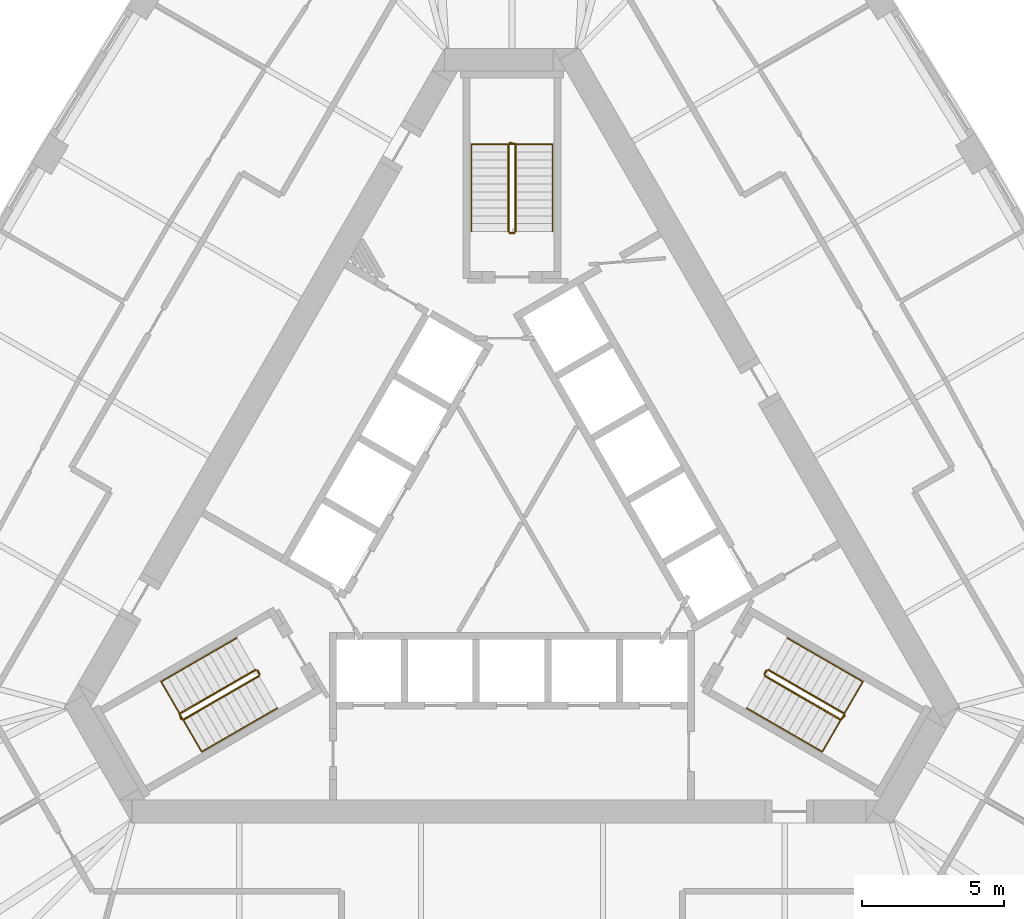
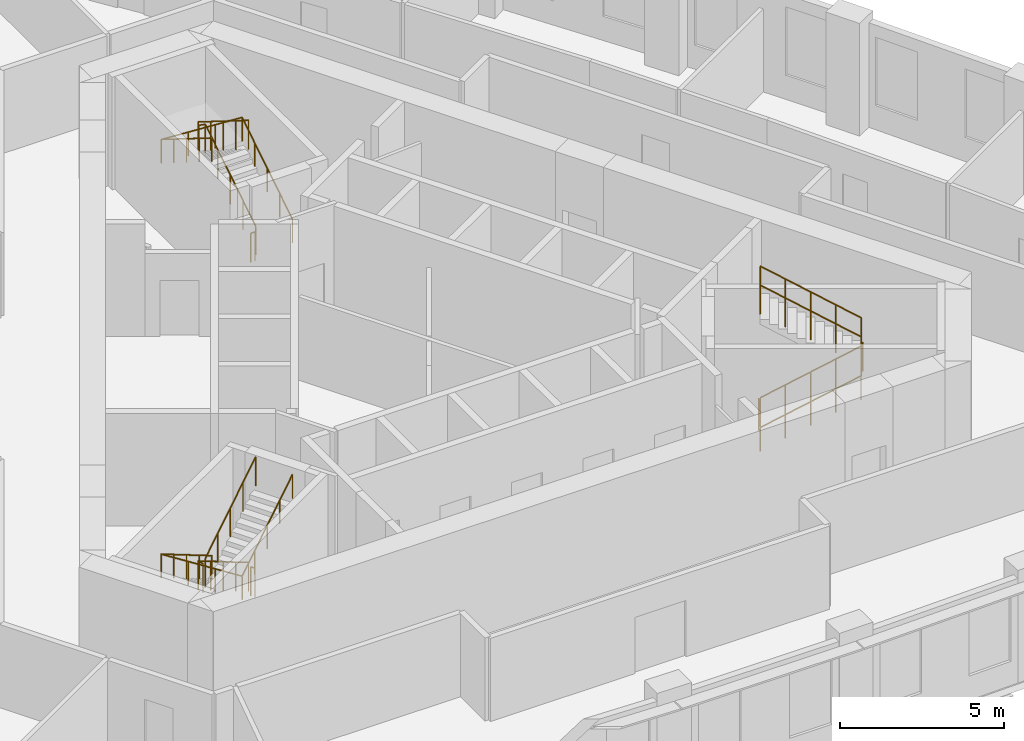
# One storey, part 10 of 10: 12 railings.
"""IFC4 building model written with IfcOpenShell, lengths in metres."""

from ifc_helpers import new_model, si_unit, direction, frame, origin, origin_2d, place, context, subcontext, project, spatial, circle, extrude, material, type_object, element, save


model = new_model("IFC4")

# Units and contexts
model_context = context("Model", 3, precision=1e-05, world=origin(), true_north=direction((0.0, 1.0)))
body_context = subcontext(model_context, "Body", "Model", "MODEL_VIEW")
ifc_project = project(units=[si_unit("LENGTHUNIT", "METRE"), si_unit("AREAUNIT", "SQUARE_METRE"), si_unit("VOLUMEUNIT", "CUBIC_METRE"), si_unit("PLANEANGLEUNIT", "RADIAN"), si_unit("MASSUNIT", "GRAM", prefix="KILO")], contexts=[model_context])

# Site, building, storey
site_placement = place(None, origin())
site = spatial("IfcSite", under=ifc_project, at=site_placement, CompositionType="ELEMENT")
building_placement = place(site_placement, origin())
building = spatial("IfcBuilding", under=site, at=building_placement, Name="Mestral Congress Tower", CompositionType="ELEMENT")
storey_placement = place(building_placement, frame((0.0, 0.0, 192.0)))
storey = spatial("IfcBuildingStorey", under=building, at=storey_placement, Name="L45", CompositionType="ELEMENT", Elevation=192.0)

# Railings
ifc_material_1 = material(Name="Steel balustrade", Category="steel")
railing_type_1 = type_object("IfcRailingType", Name="Stair guard 1100", PredefinedType="GUARDRAIL", material=ifc_material_1)
railing_1_placement = place(storey_placement, frame((8.90087890625, -5.283203125, 0.175048828125)))
element("IfcRailing", 1, at=railing_1_placement, inside=storey, type_object=railing_type_1, Name="L45 ST1 stair guard 1", PredefinedType="GUARDRAIL", context=body_context, shape_type="SweptSolid", body=[
    extrude(circle(Radius=0.02392578125, at=origin_2d()), frame((0.0, 0.0, 1.076171875), z_axis=(0.734364028329, -0.424015404183, 0.530019255228), x_axis=(0.500026652407, 0.866010015463, 0.0)), (0.0, 0.0, 1.0), 3.632080078125),
    extrude(circle(Radius=0.02392578125, at=origin_2d()), frame((2.667236328125, -1.5400390625, 3.0009765625), z_axis=(0.695164929852, 0.718850276695, 0.0), x_axis=(-0.718850276695, 0.695164929852, 0.0)), (0.0, 0.0, 1.0), 0.2060546875),
    extrude(circle(Radius=0.02099609375, at=origin_2d()), origin(), (0.0, 0.0, 1.0), 1.052001953125),
    extrude(circle(Radius=0.02099609375, at=origin_2d()), frame((0.666748046875, -0.385009765625, 0.481201171875)), (0.0, 0.0, 1.0), 1.052001953125),
    extrude(circle(Radius=0.02099609375, at=origin_2d()), frame((1.33349609375, -0.77001953125, 0.96240234375)), (0.0, 0.0, 1.0), 1.052001953125),
    extrude(circle(Radius=0.02099609375, at=origin_2d()), frame((2.00048828125, -1.155029296875, 1.44384765625)), (0.0, 0.0, 1.0), 1.052001953125),
    extrude(circle(Radius=0.02099609375, at=origin_2d()), frame((2.667236328125, -1.5400390625, 1.925048828125)), (0.0, 0.0, 1.0), 1.052001953125),
    extrude(circle(Radius=0.02099609375, at=origin_2d()), frame((2.810546875, -1.391845703125, 1.925048828125)), (0.0, 0.0, 1.0), 1.052001953125),
])
railing_2_placement = place(storey_placement, frame((11.693115234375, -6.606689453125, 2.27490234375)))
element("IfcRailing", 2, at=railing_2_placement, inside=storey, type_object=railing_type_1, Name="L45 ST1 stair guard 2", PredefinedType="GUARDRAIL", context=body_context, shape_type="SweptSolid", body=[
    extrude(circle(Radius=0.02392578125, at=origin_2d()), frame((0.0, 0.0, 1.076171875), z_axis=(-0.734364028329, 0.424015404183, 0.530019255228), x_axis=(-0.500026652407, -0.866010015463, 0.0)), (0.0, 0.0, 1.0), 3.632080078125),
    extrude(circle(Radius=0.02099609375, at=origin_2d()), origin(), (0.0, 0.0, 1.0), 1.052001953125),
    extrude(circle(Radius=0.02099609375, at=origin_2d()), frame((-0.666748046875, 0.385009765625, 0.481201171875)), (0.0, 0.0, 1.0), 1.052001953125),
    extrude(circle(Radius=0.02099609375, at=origin_2d()), frame((-1.33349609375, 0.77001953125, 0.96240234375)), (0.0, 0.0, 1.0), 1.052001953125),
    extrude(circle(Radius=0.02099609375, at=origin_2d()), frame((-2.00048828125, 1.155029296875, 1.44384765625)), (0.0, 0.0, 1.0), 1.052001953125),
    extrude(circle(Radius=0.02099609375, at=origin_2d()), frame((-2.667236328125, 1.5400390625, 1.925048828125)), (0.0, 0.0, 1.0), 1.052001953125),
])
railing_3_placement = place(storey_placement, frame((8.882568359375, -5.21484375, 0.0)))
element("IfcRailing", 3, at=railing_3_placement, inside=storey, type_object=railing_type_1, Name="L45 ST1 stair guard 3", PredefinedType="GUARDRAIL", context=body_context, shape_type="SweptSolid", body=[
    extrude(circle(Radius=0.02392578125, at=origin_2d()), frame((0.0, 0.0, 1.076171875), z_axis=(0.499816412211, 0.866131372301, 0.0), x_axis=(-0.866131372301, 0.499816412211, 0.0)), (0.0, 0.0, 1.0), 0.14990234375),
    extrude(circle(Radius=0.02099609375, at=origin_2d()), origin(), (0.0, 0.0, 1.0), 1.052001953125),
    extrude(circle(Radius=0.02099609375, at=origin_2d()), frame((0.074951171875, 0.1298828125, 0.0)), (0.0, 0.0, 1.0), 1.052001953125),
])
railing_4_placement = place(storey_placement, frame((0.125, 10.35009765625, 0.175048828125)))
element("IfcRailing", 4, at=railing_4_placement, inside=storey, type_object=railing_type_1, Name="L45 ST2 stair guard 1", PredefinedType="GUARDRAIL", context=body_context, shape_type="SweptSolid", body=[
    extrude(circle(Radius=0.02392578125, at=origin_2d()), frame((0.0, 0.0, 1.076171875), z_axis=(0.0, 0.847979421464, 0.530029150871), x_axis=(-1.0, 0.0, 0.0)), (0.0, 0.0, 1.0), 3.632080078125),
    extrude(circle(Radius=0.02392578125, at=origin_2d()), frame((0.0, 3.079833984375, 3.0009765625), z_axis=(-0.970072785993, 0.242814311512, 0.0), x_axis=(-0.242814311512, -0.970072785993, 0.0)), (0.0, 0.0, 1.0), 0.2060546875),
    extrude(circle(Radius=0.02099609375, at=origin_2d()), origin(), (0.0, 0.0, 1.0), 1.052001953125),
    extrude(circle(Radius=0.02099609375, at=origin_2d()), frame((0.0, 0.77001953125, 0.481201171875)), (0.0, 0.0, 1.0), 1.052001953125),
    extrude(circle(Radius=0.02099609375, at=origin_2d()), frame((0.0, 1.5400390625, 0.96240234375)), (0.0, 0.0, 1.0), 1.052001953125),
    extrude(circle(Radius=0.02099609375, at=origin_2d()), frame((0.0, 2.309814453125, 1.44384765625)), (0.0, 0.0, 1.0), 1.052001953125),
    extrude(circle(Radius=0.02099609375, at=origin_2d()), frame((0.0, 3.079833984375, 1.925048828125)), (0.0, 0.0, 1.0), 1.052001953125),
    extrude(circle(Radius=0.02099609375, at=origin_2d()), frame((-0.199951171875, 3.1298828125, 1.925048828125)), (0.0, 0.0, 1.0), 1.052001953125),
])
railing_5_placement = place(storey_placement, frame((-0.125, 13.429931640625, 2.27490234375)))
element("IfcRailing", 5, at=railing_5_placement, inside=storey, type_object=railing_type_1, Name="L45 ST2 stair guard 2", PredefinedType="GUARDRAIL", context=body_context, shape_type="SweptSolid", body=[
    extrude(circle(Radius=0.02392578125, at=origin_2d()), frame((0.0, 0.0, 1.076171875), z_axis=(0.0, -0.847979421464, 0.530029150871), x_axis=(1.0, 0.0, 0.0)), (0.0, 0.0, 1.0), 3.632080078125),
    extrude(circle(Radius=0.02099609375, at=origin_2d()), origin(), (0.0, 0.0, 1.0), 1.052001953125),
    extrude(circle(Radius=0.02099609375, at=origin_2d()), frame((0.0, -0.77001953125, 0.481201171875)), (0.0, 0.0, 1.0), 1.052001953125),
    extrude(circle(Radius=0.02099609375, at=origin_2d()), frame((0.0, -1.5400390625, 0.96240234375)), (0.0, 0.0, 1.0), 1.052001953125),
    extrude(circle(Radius=0.02099609375, at=origin_2d()), frame((0.0, -2.309814453125, 1.44384765625)), (0.0, 0.0, 1.0), 1.052001953125),
    extrude(circle(Radius=0.02099609375, at=origin_2d()), frame((0.0, -3.079833984375, 1.925048828125)), (0.0, 0.0, 1.0), 1.052001953125),
])
railing_6_placement = place(storey_placement, frame((0.074951171875, 10.300048828125, 0.0)))
element("IfcRailing", 6, at=railing_6_placement, inside=storey, type_object=railing_type_1, Name="L45 ST2 stair guard 3", PredefinedType="GUARDRAIL", context=body_context, shape_type="SweptSolid", body=[
    extrude(circle(Radius=0.02392578125, at=origin_2d()), frame((0.0, 0.0, 1.076171875), z_axis=(-1.0, 0.0, 0.0), x_axis=(0.0, -1.0, 0.0)), (0.0, 0.0, 1.0), 0.14990234375),
    extrude(circle(Radius=0.02099609375, at=origin_2d()), origin(), (0.0, 0.0, 1.0), 1.052001953125),
    extrude(circle(Radius=0.02099609375, at=origin_2d()), frame((-0.14990234375, 0.0, 0.0)), (0.0, 0.0, 1.0), 1.052001953125),
])
railing_7_placement = place(storey_placement, frame((-9.02587890625, -5.066650390625, 0.175048828125)))
element("IfcRailing", 7, at=railing_7_placement, inside=storey, type_object=railing_type_1, Name="L45 ST3 stair guard 1", PredefinedType="GUARDRAIL", context=body_context, shape_type="SweptSolid", body=[
    extrude(circle(Radius=0.02392578125, at=origin_2d()), frame((0.0, 0.0, 1.076171875), z_axis=(-0.734364028329, -0.424015404183, 0.530019255228), x_axis=(0.500026652407, -0.866010015463, 0.0)), (0.0, 0.0, 1.0), 3.632080078125),
    extrude(circle(Radius=0.02392578125, at=origin_2d()), frame((-2.667236328125, -1.5400390625, 3.0009765625), z_axis=(0.274721127897, -0.961523947641, 0.0), x_axis=(0.961523947641, 0.274721127897, 0.0)), (0.0, 0.0, 1.0), 0.2060546875),
    extrude(circle(Radius=0.02099609375, at=origin_2d()), origin(), (0.0, 0.0, 1.0), 1.052001953125),
    extrude(circle(Radius=0.02099609375, at=origin_2d()), frame((-0.666748046875, -0.385009765625, 0.481201171875)), (0.0, 0.0, 1.0), 1.052001953125),
    extrude(circle(Radius=0.02099609375, at=origin_2d()), frame((-1.33349609375, -0.77001953125, 0.96240234375)), (0.0, 0.0, 1.0), 1.052001953125),
    extrude(circle(Radius=0.02099609375, at=origin_2d()), frame((-2.00048828125, -1.155029296875, 1.44384765625)), (0.0, 0.0, 1.0), 1.052001953125),
    extrude(circle(Radius=0.02099609375, at=origin_2d()), frame((-2.667236328125, -1.5400390625, 1.925048828125)), (0.0, 0.0, 1.0), 1.052001953125),
    extrude(circle(Radius=0.02099609375, at=origin_2d()), frame((-2.610595703125, -1.73828125, 1.925048828125)), (0.0, 0.0, 1.0), 1.052001953125),
])
railing_8_placement = place(storey_placement, frame((-11.568115234375, -6.8232421875, 2.27490234375)))
element("IfcRailing", 8, at=railing_8_placement, inside=storey, type_object=railing_type_1, Name="L45 ST3 stair guard 2", PredefinedType="GUARDRAIL", context=body_context, shape_type="SweptSolid", body=[
    extrude(circle(Radius=0.02392578125, at=origin_2d()), frame((0.0, 0.0, 1.076171875), z_axis=(0.734364028329, 0.424015404183, 0.530019255228), x_axis=(-0.500026652407, 0.866010015463, 0.0)), (0.0, 0.0, 1.0), 3.632080078125),
    extrude(circle(Radius=0.02099609375, at=origin_2d()), origin(), (0.0, 0.0, 1.0), 1.052001953125),
    extrude(circle(Radius=0.02099609375, at=origin_2d()), frame((0.666748046875, 0.385009765625, 0.481201171875)), (0.0, 0.0, 1.0), 1.052001953125),
    extrude(circle(Radius=0.02099609375, at=origin_2d()), frame((1.33349609375, 0.77001953125, 0.96240234375)), (0.0, 0.0, 1.0), 1.052001953125),
    extrude(circle(Radius=0.02099609375, at=origin_2d()), frame((2.00048828125, 1.155029296875, 1.44384765625)), (0.0, 0.0, 1.0), 1.052001953125),
    extrude(circle(Radius=0.02099609375, at=origin_2d()), frame((2.667236328125, 1.5400390625, 1.925048828125)), (0.0, 0.0, 1.0), 1.052001953125),
])
railing_9_placement = place(storey_placement, frame((-8.95751953125, -5.0849609375, 0.0)))
element("IfcRailing", 9, at=railing_9_placement, inside=storey, type_object=railing_type_1, Name="L45 ST3 stair guard 3", PredefinedType="GUARDRAIL", context=body_context, shape_type="SweptSolid", body=[
    extrude(circle(Radius=0.02392578125, at=origin_2d()), frame((0.0, 0.0, 1.076171875), z_axis=(0.499816412211, -0.866131372301, 0.0), x_axis=(0.866131372301, 0.499816412211, 0.0)), (0.0, 0.0, 1.0), 0.14990234375),
    extrude(circle(Radius=0.02099609375, at=origin_2d()), origin(), (0.0, 0.0, 1.0), 1.052001953125),
    extrude(circle(Radius=0.02099609375, at=origin_2d()), frame((0.074951171875, -0.1298828125, 0.0)), (0.0, 0.0, 1.0), 1.052001953125),
])
ifc_material_2 = material(Name="Steel handrail", Category="steel")
railing_type_2 = type_object("IfcRailingType", Name="Stair handrail 900", PredefinedType="HANDRAIL", material=ifc_material_2)
railing_10_placement = place(storey_placement, frame((8.2509765625, -6.4091796875, 0.175048828125)))
element("IfcRailing", 10, at=railing_10_placement, inside=storey, type_object=railing_type_2, Name="L45 ST1 stair handrail 1", PredefinedType="HANDRAIL", context=body_context, shape_type="SweptSolid", body=[
    extrude(circle(Radius=0.02392578125, at=origin_2d()), frame((0.0, 0.0, 0.8759765625), z_axis=(0.734384958227, -0.423960268333, 0.530034361155), x_axis=(0.499967199496, 0.866044340336, 0.0)), (0.0, 0.0, 1.0), 3.6318359375),
    extrude(circle(Radius=0.02392578125, at=origin_2d()), frame((2.667236328125, -1.539794921875, 2.80078125), z_axis=(0.499098383545, 0.864379914213, 0.061222279016), x_axis=(-0.866004402611, 0.500036373335, 0.0)), (0.0, 0.0, 1.0), 2.855224609375),
    extrude(circle(Radius=0.02392578125, at=origin_2d()), frame((4.09228515625, 0.92822265625, 2.9755859375), z_axis=(-0.734394994316, 0.423994474112, 0.52999309264), x_axis=(-0.499992328818, -0.866029832698, 0.0)), (0.0, 0.0, 1.0), 3.63232421875),
    extrude(circle(Radius=0.02099609375, at=origin_2d()), origin(), (0.0, 0.0, 1.0), 0.851806640625),
    extrude(circle(Radius=0.02099609375, at=origin_2d()), frame((0.666748046875, -0.385009765625, 0.481201171875)), (0.0, 0.0, 1.0), 0.851806640625),
    extrude(circle(Radius=0.02099609375, at=origin_2d()), frame((1.33349609375, -0.77001953125, 0.96240234375)), (0.0, 0.0, 1.0), 0.851806640625),
    extrude(circle(Radius=0.02099609375, at=origin_2d()), frame((2.00048828125, -1.15478515625, 1.44384765625)), (0.0, 0.0, 1.0), 0.851806640625),
    extrude(circle(Radius=0.02099609375, at=origin_2d()), frame((2.667236328125, -1.539794921875, 1.925048828125)), (0.0, 0.0, 1.0), 0.851806640625),
    extrude(circle(Radius=0.02099609375, at=origin_2d()), frame((3.142333984375, -0.717041015625, 1.9833984375)), (0.0, 0.0, 1.0), 0.851806640625),
    extrude(circle(Radius=0.02099609375, at=origin_2d()), frame((3.6171875, 0.10546875, 2.04150390625)), (0.0, 0.0, 1.0), 0.851806640625),
    extrude(circle(Radius=0.02099609375, at=origin_2d()), frame((4.09228515625, 0.92822265625, 2.099853515625)), (0.0, 0.0, 1.0), 0.851806640625),
    extrude(circle(Radius=0.02099609375, at=origin_2d()), frame((3.42529296875, 1.313232421875, 2.5810546875)), (0.0, 0.0, 1.0), 0.851806640625),
    extrude(circle(Radius=0.02099609375, at=origin_2d()), frame((2.758544921875, 1.6982421875, 3.0625)), (0.0, 0.0, 1.0), 0.851806640625),
    extrude(circle(Radius=0.02099609375, at=origin_2d()), frame((2.091796875, 2.083251953125, 3.543701171875)), (0.0, 0.0, 1.0), 0.851806640625),
    extrude(circle(Radius=0.02099609375, at=origin_2d()), frame((1.4248046875, 2.46826171875, 4.02490234375)), (0.0, 0.0, 1.0), 0.851806640625),
])
railing_11_placement = place(storey_placement, frame((1.425048828125, 10.35009765625, 0.175048828125)))
element("IfcRailing", 11, at=railing_11_placement, inside=storey, type_object=railing_type_2, Name="L45 ST2 stair handrail 1", PredefinedType="HANDRAIL", context=body_context, shape_type="SweptSolid", body=[
    extrude(circle(Radius=0.02392578125, at=origin_2d()), frame((0.0, 0.0, 0.8759765625), z_axis=(0.0, 0.847979421464, 0.530029150871), x_axis=(-1.0, 0.0, 0.0)), (0.0, 0.0, 1.0), 3.632080078125),
    extrude(circle(Radius=0.02392578125, at=origin_2d()), frame((0.0, 3.079833984375, 2.80078125), z_axis=(-0.998124429008, 0.0, 0.061217842314), x_axis=(0.0, -1.0, 0.0)), (0.0, 0.0, 1.0), 2.85546875),
    extrude(circle(Radius=0.02392578125, at=origin_2d()), frame((-2.85009765625, 3.079833984375, 2.9755859375), z_axis=(0.0, -0.847979421464, 0.530029150871), x_axis=(1.0, 0.0, 0.0)), (0.0, 0.0, 1.0), 3.632080078125),
    extrude(circle(Radius=0.02099609375, at=origin_2d()), origin(), (0.0, 0.0, 1.0), 0.851806640625),
    extrude(circle(Radius=0.02099609375, at=origin_2d()), frame((0.0, 0.77001953125, 0.481201171875)), (0.0, 0.0, 1.0), 0.851806640625),
    extrude(circle(Radius=0.02099609375, at=origin_2d()), frame((0.0, 1.5400390625, 0.96240234375)), (0.0, 0.0, 1.0), 0.851806640625),
    extrude(circle(Radius=0.02099609375, at=origin_2d()), frame((0.0, 2.309814453125, 1.44384765625)), (0.0, 0.0, 1.0), 0.851806640625),
    extrude(circle(Radius=0.02099609375, at=origin_2d()), frame((0.0, 3.079833984375, 1.925048828125)), (0.0, 0.0, 1.0), 0.851806640625),
    extrude(circle(Radius=0.02099609375, at=origin_2d()), frame((-0.949951171875, 3.079833984375, 1.9833984375)), (0.0, 0.0, 1.0), 0.851806640625),
    extrude(circle(Radius=0.02099609375, at=origin_2d()), frame((-1.900146484375, 3.079833984375, 2.04150390625)), (0.0, 0.0, 1.0), 0.851806640625),
    extrude(circle(Radius=0.02099609375, at=origin_2d()), frame((-2.85009765625, 3.079833984375, 2.099853515625)), (0.0, 0.0, 1.0), 0.851806640625),
    extrude(circle(Radius=0.02099609375, at=origin_2d()), frame((-2.85009765625, 2.309814453125, 2.5810546875)), (0.0, 0.0, 1.0), 0.851806640625),
    extrude(circle(Radius=0.02099609375, at=origin_2d()), frame((-2.85009765625, 1.5400390625, 3.0625)), (0.0, 0.0, 1.0), 0.851806640625),
    extrude(circle(Radius=0.02099609375, at=origin_2d()), frame((-2.85009765625, 0.77001953125, 3.543701171875)), (0.0, 0.0, 1.0), 0.851806640625),
    extrude(circle(Radius=0.02099609375, at=origin_2d()), frame((-2.85009765625, 0.0, 4.02490234375)), (0.0, 0.0, 1.0), 0.851806640625),
])
railing_12_placement = place(storey_placement, frame((-9.67578125, -3.94091796875, 0.175048828125)))
element("IfcRailing", 12, at=railing_12_placement, inside=storey, type_object=railing_type_2, Name="L45 ST3 stair handrail 1", PredefinedType="HANDRAIL", context=body_context, shape_type="SweptSolid", body=[
    extrude(circle(Radius=0.02392578125, at=origin_2d()), frame((0.0, 0.0, 0.8759765625), z_axis=(-0.734394994316, -0.423994474112, 0.52999309264), x_axis=(0.499992328818, -0.866029832698, 0.0)), (0.0, 0.0, 1.0), 3.63232421875),
    extrude(circle(Radius=0.02392578125, at=origin_2d()), frame((-2.66748046875, -1.5400390625, 2.80078125), z_axis=(0.499098383545, -0.864379914213, 0.061222279016), x_axis=(0.866004402611, 0.500036373335, 0.0)), (0.0, 0.0, 1.0), 2.855224609375),
    extrude(circle(Radius=0.02392578125, at=origin_2d()), frame((-1.242431640625, -4.008056640625, 2.9755859375), z_axis=(0.734384958227, 0.423960268333, 0.530034361155), x_axis=(-0.499967199496, 0.866044340336, 0.0)), (0.0, 0.0, 1.0), 3.6318359375),
    extrude(circle(Radius=0.02099609375, at=origin_2d()), origin(), (0.0, 0.0, 1.0), 0.851806640625),
    extrude(circle(Radius=0.02099609375, at=origin_2d()), frame((-0.6669921875, -0.385009765625, 0.481201171875)), (0.0, 0.0, 1.0), 0.851806640625),
    extrude(circle(Radius=0.02099609375, at=origin_2d()), frame((-1.333740234375, -0.77001953125, 0.96240234375)), (0.0, 0.0, 1.0), 0.851806640625),
    extrude(circle(Radius=0.02099609375, at=origin_2d()), frame((-2.00048828125, -1.155029296875, 1.44384765625)), (0.0, 0.0, 1.0), 0.851806640625),
    extrude(circle(Radius=0.02099609375, at=origin_2d()), frame((-2.66748046875, -1.5400390625, 1.925048828125)), (0.0, 0.0, 1.0), 0.851806640625),
    extrude(circle(Radius=0.02099609375, at=origin_2d()), frame((-2.1923828125, -2.36279296875, 1.9833984375)), (0.0, 0.0, 1.0), 0.851806640625),
    extrude(circle(Radius=0.02099609375, at=origin_2d()), frame((-1.717529296875, -3.185302734375, 2.04150390625)), (0.0, 0.0, 1.0), 0.851806640625),
    extrude(circle(Radius=0.02099609375, at=origin_2d()), frame((-1.242431640625, -4.008056640625, 2.099853515625)), (0.0, 0.0, 1.0), 0.851806640625),
    extrude(circle(Radius=0.02099609375, at=origin_2d()), frame((-0.57568359375, -3.623046875, 2.5810546875)), (0.0, 0.0, 1.0), 0.851806640625),
    extrude(circle(Radius=0.02099609375, at=origin_2d()), frame((0.09130859375, -3.23828125, 3.0625)), (0.0, 0.0, 1.0), 0.851806640625),
    extrude(circle(Radius=0.02099609375, at=origin_2d()), frame((0.758056640625, -2.853271484375, 3.543701171875)), (0.0, 0.0, 1.0), 0.851806640625),
    extrude(circle(Radius=0.02099609375, at=origin_2d()), frame((1.4248046875, -2.46826171875, 4.02490234375)), (0.0, 0.0, 1.0), 0.851806640625),
])

save(model, "model.ifc")
